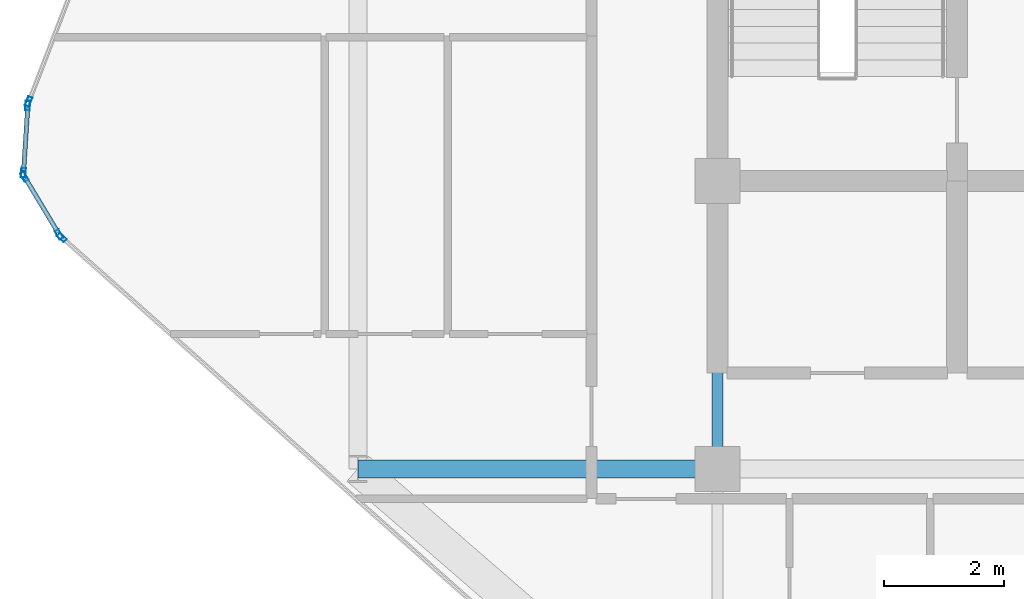
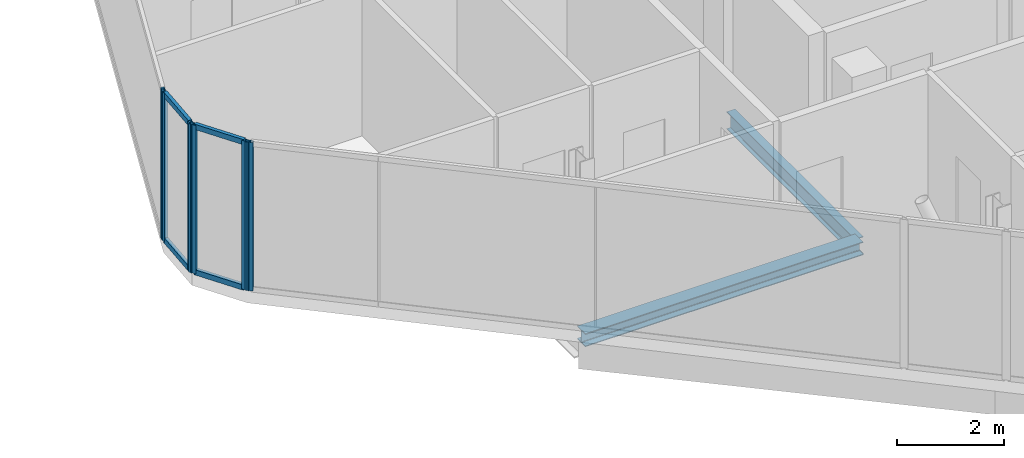
# One storey, part 8 of 29: 10 members, 2 beams, 4 elements without a shape of their own.
"""IFC4 building model written with IfcOpenShell, lengths in metres."""

from ifc_helpers import new_model, si_unit, direction, frame, origin, origin_2d, place, context, subcontext, project, spatial, hollow_rectangle, i_section, extrude, material, layer, layer_set, material_profile, profile_set, type_object, element, aggregate, save


model = new_model("IFC4")

# Units and contexts
model_context = context("Model", 3, precision=1e-05, world=origin(), true_north=direction((0.0, 1.0)))
body_context = subcontext(model_context, "Body", "Model", "MODEL_VIEW")
ifc_project = project(units=[si_unit("LENGTHUNIT", "METRE"), si_unit("AREAUNIT", "SQUARE_METRE"), si_unit("VOLUMEUNIT", "CUBIC_METRE"), si_unit("PLANEANGLEUNIT", "RADIAN"), si_unit("MASSUNIT", "GRAM", prefix="KILO")], contexts=[model_context])

# Site, building, storey
site_placement = place(None, origin())
site = spatial("IfcSite", under=ifc_project, at=site_placement, CompositionType="ELEMENT")
building_placement = place(site_placement, origin())
building = spatial("IfcBuilding", under=site, at=building_placement, Name="Keshet Zoharim Tower", CompositionType="ELEMENT")
storey_placement = place(building_placement, frame((0.0, 0.0, 230.199951171875)))
storey = spatial("IfcBuildingStorey", under=building, at=storey_placement, Name="L57", CompositionType="ELEMENT", Elevation=230.199951171875)

# Beams
ifc_material_1 = material(Name="Steel S355", Category="steel")
ifc_material_profile_1 = material_profile(ifc_material_1, i_section(OverallWidth=0.300048828125, OverallDepth=0.300048828125, WebThickness=0.010986328125, FlangeThickness=0.01904296875, FilletRadius=0.027099609375, at=origin_2d()), Name="HEB300")
ifc_profile_set_1 = profile_set([ifc_material_profile_1], Name="Steel S355")
beam_type_1 = type_object("IfcBeamType", Name="BM-PRI-HB300", PredefinedType="BEAM", material=ifc_profile_set_1)
beam_1_placement = place(storey_placement, frame((9.0, 17.89990234375, -0.4599609375), z_axis=(1.0, 0.0, 0.0), x_axis=(0.0, 1.0, 0.0)))
element("IfcBeam", 1, at=beam_1_placement, inside=storey, type_object=beam_type_1, Name="L57 Primary Girder X-011", PredefinedType="BEAM", context=body_context, shape_type="SweptSolid", body=[
    extrude(i_section(OverallWidth=0.300048828125, OverallDepth=0.300048828125, WebThickness=0.010986328125, FlangeThickness=0.01904296875, FilletRadius=0.027099609375, at=origin_2d()), origin(), (0.0, 0.0, 1.0), 6.0),
])
ifc_material_profile_2 = material_profile(ifc_material_1, i_section(OverallWidth=0.179931640625, OverallDepth=0.39990234375, WebThickness=0.008544921875, FlangeThickness=0.013427734375, FilletRadius=0.02099609375, at=origin_2d()), Name="IPE400")
ifc_profile_set_2 = profile_set([ifc_material_profile_2], Name="Steel S355")
beam_type_2 = type_object("IfcBeamType", Name="BM-PRI-IP400", PredefinedType="BEAM", material=ifc_profile_set_2)
beam_2_placement = place(storey_placement, frame((15.0, 17.89990234375, -0.510009765625), z_axis=(0.0, 1.0, 0.0), x_axis=(-1.0, 0.0, 0.0)))
element("IfcBeam", 2, at=beam_2_placement, inside=storey, type_object=beam_type_2, Name="L57 Primary Girder Y-003", PredefinedType="BEAM", context=body_context, shape_type="SweptSolid", body=[
    extrude(i_section(OverallWidth=0.179931640625, OverallDepth=0.39990234375, WebThickness=0.008544921875, FlangeThickness=0.013427734375, FilletRadius=0.02099609375, at=origin_2d()), origin(), (0.0, 0.0, 1.0), 4.800048828125),
])

# Curtain wall, member
ifc_material_2 = material(Name="Aluminium 6063-T6", Category="aluminium")
ifc_layer = layer(ifc_material_2, 0.139892578125)
ifc_layer_set = layer_set([ifc_layer], Name="Aluminium 6063-T6")
curtain_wall_type = type_object("IfcCurtainWallType", Name="CW-SYS-05", PredefinedType="NOTDEFINED", material=ifc_layer_set)
curtain_wall_1_placement = place(storey_placement, origin())
curtain_wall_1 = element("IfcCurtainWall", 3, at=curtain_wall_1_placement, inside=storey, type_object=curtain_wall_type, Name="L57 Unitised Curtain Wall 10 Part 3", PredefinedType="NOTDEFINED")
ifc_material_profile_3 = material_profile(ifc_material_2, hollow_rectangle(XDim=0.074951171875, YDim=0.159912109375, WallThickness=0.00390625, at=origin_2d()), Name="MUL-75x160")
ifc_profile_set_3 = profile_set([ifc_material_profile_3], Name="Aluminium 6063-T6")
member_type_1 = type_object("IfcMemberType", Name="CWM-M15", PredefinedType="MULLION", material=ifc_profile_set_3)
member_1_placement = place(storey_placement, frame((4.061279296875, 21.7568359375, 0.0), z_axis=(0.0, 0.0, 1.0), x_axis=(-0.664363838836, -0.747409318679, 0.0)))
member_1 = element("IfcMember", 4, at=member_1_placement, type_object=member_type_1, Name="CW-05 mullion 2", PredefinedType="MULLION", context=body_context, shape_type="SweptSolid", body=[
    extrude(hollow_rectangle(XDim=0.074951171875, YDim=0.159912109375, WallThickness=0.00390625, at=origin_2d()), origin(), (0.0, 0.0, 1.0), 3.39013671875),
])
aggregate(curtain_wall_1, [member_1])

# Curtain wall, members
curtain_wall_2_placement = place(storey_placement, origin())
curtain_wall_2 = element("IfcCurtainWall", 5, at=curtain_wall_2_placement, inside=storey, type_object=curtain_wall_type, Name="L57 Unitised Curtain Wall 11", PredefinedType="NOTDEFINED")
member_2_placement = place(storey_placement, frame((4.016845703125, 21.81005859375, 0.0), z_axis=(0.0, 0.0, 1.0), x_axis=(-0.856826433805, -0.515604947933, 0.0)))
member_2 = element("IfcMember", 6, at=member_2_placement, type_object=member_type_1, Name="CW-05 mullion 1", PredefinedType="MULLION", context=body_context, shape_type="SweptSolid", body=[
    extrude(hollow_rectangle(XDim=0.074951171875, YDim=0.159912109375, WallThickness=0.00390625, at=origin_2d()), origin(), (0.0, 0.0, 1.0), 3.39013671875),
])
member_3_placement = place(storey_placement, frame((3.43798828125, 22.77197265625, 0.0), z_axis=(0.0, 0.0, 1.0), x_axis=(-0.856826433805, -0.515604947933, 0.0)))
member_3 = element("IfcMember", 7, at=member_3_placement, type_object=member_type_1, Name="CW-05 mullion 2", PredefinedType="MULLION", context=body_context, shape_type="SweptSolid", body=[
    extrude(hollow_rectangle(XDim=0.074951171875, YDim=0.159912109375, WallThickness=0.00390625, at=origin_2d()), origin(), (0.0, 0.0, 1.0), 3.39013671875),
])

curtain_wall_3_placement = place(storey_placement, origin())
curtain_wall_3 = element("IfcCurtainWall", 8, at=curtain_wall_3_placement, inside=storey, type_object=curtain_wall_type, Name="L57 Unitised Curtain Wall 12", PredefinedType="NOTDEFINED")
member_4_placement = place(storey_placement, frame((3.42236328125, 22.8369140625, 0.0), z_axis=(0.0, 0.0, 1.0), x_axis=(-0.997916617186, 0.064516859374, 0.0)))
member_4 = element("IfcMember", 9, at=member_4_placement, type_object=member_type_1, Name="CW-05 mullion 1", PredefinedType="MULLION", context=body_context, shape_type="SweptSolid", body=[
    extrude(hollow_rectangle(XDim=0.074951171875, YDim=0.159912109375, WallThickness=0.00390625, at=origin_2d()), origin(), (0.0, 0.0, 1.0), 3.39013671875),
])
member_5_placement = place(storey_placement, frame((3.49462890625, 23.9580078125, 0.0), z_axis=(0.0, 0.0, 1.0), x_axis=(-0.997916617186, 0.064516859374, 0.0)))
member_5 = element("IfcMember", 10, at=member_5_placement, type_object=member_type_1, Name="CW-05 mullion 2", PredefinedType="MULLION", context=body_context, shape_type="SweptSolid", body=[
    extrude(hollow_rectangle(XDim=0.074951171875, YDim=0.159912109375, WallThickness=0.00390625, at=origin_2d()), origin(), (0.0, 0.0, 1.0), 3.39013671875),
])

# Curtain wall, member
curtain_wall_4_placement = place(storey_placement, origin())
curtain_wall_4 = element("IfcCurtainWall", 11, at=curtain_wall_4_placement, inside=storey, type_object=curtain_wall_type, Name="L57 Unitised Curtain Wall 13", PredefinedType="NOTDEFINED")
member_6_placement = place(storey_placement, frame((3.509521484375, 24.025634765625, 0.0), z_axis=(0.0, 0.0, 1.0), x_axis=(-0.933341404361, 0.358990003907, 0.0)))
member_6 = element("IfcMember", 12, at=member_6_placement, type_object=member_type_1, Name="CW-05 mullion 1", PredefinedType="MULLION", context=body_context, shape_type="SweptSolid", body=[
    extrude(hollow_rectangle(XDim=0.074951171875, YDim=0.159912109375, WallThickness=0.00390625, at=origin_2d()), origin(), (0.0, 0.0, 1.0), 3.39013671875),
])
aggregate(curtain_wall_4, [member_6])

# Member
ifc_material_profile_4 = material_profile(ifc_material_2, hollow_rectangle(XDim=0.074951171875, YDim=0.1201171875, WallThickness=0.00390625, at=origin_2d()), Name="TRN-75x120")
ifc_profile_set_4 = profile_set([ifc_material_profile_4], Name="Aluminium 6063-T6")
member_type_2 = type_object("IfcMemberType", Name="CWT-T12", PredefinedType="USERDEFINED", material=ifc_profile_set_4)
member_7_placement = place(storey_placement, frame((3.9990234375, 21.840087890625, 0.03515625), z_axis=(-0.515791194107, 0.856714330499, 0.0), x_axis=(-0.856714330499, -0.515791194107, 0.0)))
member_7 = element("IfcMember", 13, at=member_7_placement, type_object=member_type_2, Name="CW-05 transom 1.1", ObjectType="TRANSOM", PredefinedType="USERDEFINED", context=body_context, shape_type="SweptSolid", body=[
    extrude(hollow_rectangle(XDim=0.074951171875, YDim=0.1201171875, WallThickness=0.00390625, at=origin_2d()), origin(), (0.0, 0.0, 1.0), 1.052734375),
])

member_8_placement = place(storey_placement, frame((3.9990234375, 21.840087890625, 3.35498046875), z_axis=(-0.515791194107, 0.856714330499, 0.0), x_axis=(-0.856714330499, -0.515791194107, 0.0)))
member_8 = element("IfcMember", 14, at=member_8_placement, type_object=member_type_2, Name="CW-05 transom 1.2", ObjectType="TRANSOM", PredefinedType="USERDEFINED", context=body_context, shape_type="SweptSolid", body=[
    extrude(hollow_rectangle(XDim=0.074951171875, YDim=0.1201171875, WallThickness=0.00390625, at=origin_2d()), origin(), (0.0, 0.0, 1.0), 1.052734375),
])

aggregate(curtain_wall_2, [member_2, member_3, member_7, member_8])

member_9_placement = place(storey_placement, frame((3.424560546875, 22.871826171875, 0.03515625), z_axis=(0.064426947155, 0.997922426083, 0.0), x_axis=(-0.997922426083, 0.064426947155, 0.0)))
member_9 = element("IfcMember", 15, at=member_9_placement, type_object=member_type_2, Name="CW-05 transom 1.1", ObjectType="TRANSOM", PredefinedType="USERDEFINED", context=body_context, shape_type="SweptSolid", body=[
    extrude(hollow_rectangle(XDim=0.074951171875, YDim=0.1201171875, WallThickness=0.00390625, at=origin_2d()), origin(), (0.0, 0.0, 1.0), 1.053466796875),
])

member_10_placement = place(storey_placement, frame((3.424560546875, 22.871826171875, 3.35498046875), z_axis=(0.064426947155, 0.997922426083, 0.0), x_axis=(-0.997922426083, 0.064426947155, 0.0)))
member_10 = element("IfcMember", 16, at=member_10_placement, type_object=member_type_2, Name="CW-05 transom 1.2", ObjectType="TRANSOM", PredefinedType="USERDEFINED", context=body_context, shape_type="SweptSolid", body=[
    extrude(hollow_rectangle(XDim=0.074951171875, YDim=0.1201171875, WallThickness=0.00390625, at=origin_2d()), origin(), (0.0, 0.0, 1.0), 1.053466796875),
])

aggregate(curtain_wall_3, [member_4, member_5, member_9, member_10])

save(model, "model.ifc")
